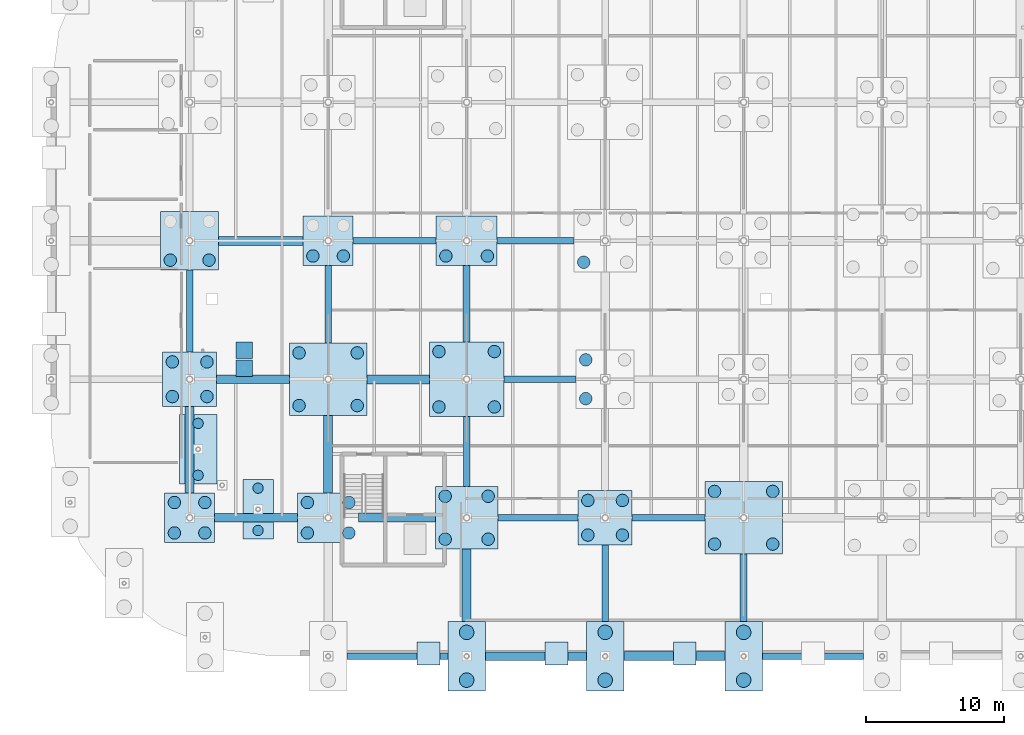
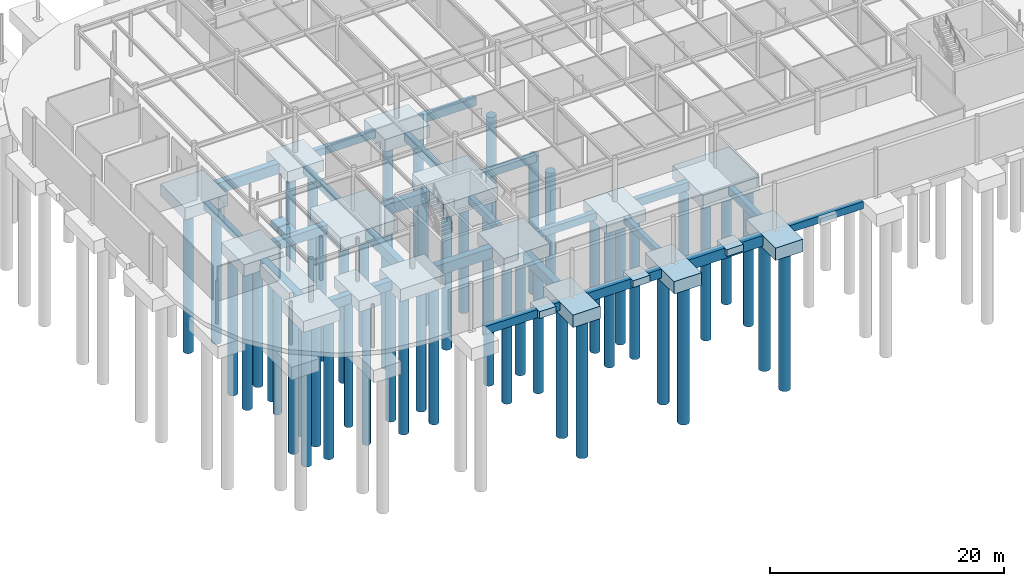
# One storey, part 2 of 75: 51 piles, 44 footings.
"""IFC4 building model written with IfcOpenShell, lengths in metres."""

from ifc_helpers import new_model, si_unit, derived_unit, direction, frame, origin, origin_2d_with_axis, place, context, subcontext, project, spatial, rectangle, circle, extrude, material, layer, layer_set, material_profile, profile_set, type_object, element, save


model = new_model("IFC4")

# Units and contexts
model_context = context("Model", 3, precision=1e-05, world=origin(), true_north=direction((0.0, 1.0)))
body_context = subcontext(model_context, "Body", "Model", "MODEL_VIEW")
ifc_project = project(units=[si_unit("LENGTHUNIT", "METRE"), si_unit("AREAUNIT", "SQUARE_METRE"), si_unit("VOLUMEUNIT", "CUBIC_METRE"), si_unit("PLANEANGLEUNIT", "RADIAN"), si_unit("MASSUNIT", "GRAM", prefix="KILO"), derived_unit("THERMALTRANSMITTANCEUNIT", [(si_unit("POWERUNIT", "WATT"), 1), (si_unit("LENGTHUNIT", "METRE"), -2), (si_unit("THERMODYNAMICTEMPERATUREUNIT", "KELVIN"), -1)])], contexts=[model_context])

# Site, building, storey
site_placement = place(None, origin())
site = spatial("IfcSite", under=ifc_project, at=site_placement, CompositionType="ELEMENT")
building_placement = place(site_placement, origin())
building = spatial("IfcBuilding", under=site, at=building_placement, Name="Cinnabar Yard Market Hall", CompositionType="ELEMENT")
storey_placement = place(building_placement, frame((0.0, 0.0, -4.5)))
storey = spatial("IfcBuildingStorey", under=building, at=storey_placement, Name="B1", CompositionType="ELEMENT", Elevation=-4.5)

# Footings
ifc_material = material(Name="Concrete 40 MPa", Category="concrete")
ifc_material_profile_1 = material_profile(ifc_material, rectangle(XDim=0.449951171875, YDim=0.75, at=origin_2d_with_axis()), Name="GB-450x750")
ifc_profile_set_1 = profile_set([ifc_material_profile_1], Name="Concrete 40 MPa")
footing_type_1 = type_object("IfcFootingType", Name="FT-GB01", PredefinedType="FOOTING_BEAM", material=ifc_profile_set_1)
footing_1_placement = place(storey_placement, frame((117.35009765625, 14.0, -0.824951171875), z_axis=(1.0, 0.0, 0.0), x_axis=(0.0, 1.0, 0.0)))
element("IfcFooting", 1, at=footing_1_placement, inside=storey, type_object=footing_type_1, Name="Ground Beam X 0004", PredefinedType="FOOTING_BEAM", context=body_context, shape_type="SweptSolid", body=[
    extrude(rectangle(XDim=0.449951171875, YDim=0.75, at=origin_2d_with_axis()), origin(), (0.0, 0.0, 1.0), 7.2998046875),
])
footing_2_placement = place(storey_placement, frame((98.25, 24.0, -0.824951171875), z_axis=(1.0, 0.0, 0.0), x_axis=(0.0, 1.0, 0.0)))
element("IfcFooting", 2, at=footing_2_placement, inside=storey, type_object=footing_type_1, Name="Ground Beam X 0012", PredefinedType="FOOTING_BEAM", context=body_context, shape_type="SweptSolid", body=[
    extrude(rectangle(XDim=0.449951171875, YDim=0.75, at=origin_2d_with_axis()), origin(), (0.0, 0.0, 1.0), 5.800048828125),
])
footing_3_placement = place(storey_placement, frame((98.699951171875, 34.0, -0.824951171875), z_axis=(1.0, 0.0, 0.0), x_axis=(0.0, 1.0, 0.0)))
element("IfcFooting", 3, at=footing_3_placement, inside=storey, type_object=footing_type_1, Name="Ground Beam X 0024", PredefinedType="FOOTING_BEAM", context=body_context, shape_type="SweptSolid", body=[
    extrude(rectangle(XDim=0.449951171875, YDim=0.75, at=origin_2d_with_axis()), origin(), (0.0, 0.0, 1.0), 5.199951171875),
])
footing_4_placement = place(storey_placement, frame((87.800048828125, 44.0, -0.824951171875), z_axis=(1.0, 0.0, 0.0), x_axis=(0.0, 1.0, 0.0)))
element("IfcFooting", 4, at=footing_4_placement, inside=storey, type_object=footing_type_1, Name="Ground Beam X 0040", PredefinedType="FOOTING_BEAM", context=body_context, shape_type="SweptSolid", body=[
    extrude(rectangle(XDim=0.449951171875, YDim=0.75, at=origin_2d_with_axis()), origin(), (0.0, 0.0, 1.0), 6.0),
])
footing_5_placement = place(storey_placement, frame((76.0, 35.949951171875, -0.824951171875), z_axis=(0.0, 1.0, 0.0), x_axis=(-1.0, 0.0, 0.0)))
element("IfcFooting", 5, at=footing_5_placement, inside=storey, type_object=footing_type_1, Name="Ground Beam Y 0184", PredefinedType="FOOTING_BEAM", context=body_context, shape_type="SweptSolid", body=[
    extrude(rectangle(XDim=0.449951171875, YDim=0.75, at=origin_2d_with_axis()), origin(), (0.0, 0.0, 1.0), 5.949951171875),
])
footing_6_placement = place(storey_placement, frame((86.0, 36.60009765625, -0.824951171875), z_axis=(0.0, 1.0, 0.0), x_axis=(-1.0, 0.0, 0.0)))
element("IfcFooting", 6, at=footing_6_placement, inside=storey, type_object=footing_type_1, Name="Ground Beam Y 0192", PredefinedType="FOOTING_BEAM", context=body_context, shape_type="SweptSolid", body=[
    extrude(rectangle(XDim=0.449951171875, YDim=0.75, at=origin_2d_with_axis()), origin(), (0.0, 0.0, 1.0), 5.599853515625),
])
footing_7_placement = place(storey_placement, frame((96.0, 26.25, -0.824951171875), z_axis=(0.0, 1.0, 0.0), x_axis=(-1.0, 0.0, 0.0)))
element("IfcFooting", 7, at=footing_7_placement, inside=storey, type_object=footing_type_1, Name="Ground Beam Y 0200", PredefinedType="FOOTING_BEAM", context=body_context, shape_type="SweptSolid", body=[
    extrude(rectangle(XDim=0.449951171875, YDim=0.75, at=origin_2d_with_axis()), origin(), (0.0, 0.0, 1.0), 5.050048828125),
])
footing_8_placement = place(storey_placement, frame((106.0, 16.5, -0.824951171875), z_axis=(0.0, 1.0, 0.0), x_axis=(-1.0, 0.0, 0.0)))
element("IfcFooting", 8, at=footing_8_placement, inside=storey, type_object=footing_type_1, Name="Ground Beam Y 0208", PredefinedType="FOOTING_BEAM", context=body_context, shape_type="SweptSolid", body=[
    extrude(rectangle(XDim=0.449951171875, YDim=0.75, at=origin_2d_with_axis()), origin(), (0.0, 0.0, 1.0), 5.550048828125),
])
ifc_material_profile_2 = material_profile(ifc_material, rectangle(XDim=0.5, YDim=0.85009765625, at=origin_2d_with_axis()), Name="GB-500x850")
ifc_profile_set_2 = profile_set([ifc_material_profile_2], Name="Concrete 40 MPa")
footing_type_2 = type_object("IfcFootingType", Name="FT-GB02", PredefinedType="FOOTING_BEAM", material=ifc_profile_set_2)
footing_9_placement = place(storey_placement, frame((87.35009765625, 14.0, -0.875), z_axis=(1.0, 0.0, 0.0), x_axis=(0.0, 1.0, 0.0)))
element("IfcFooting", 9, at=footing_9_placement, inside=storey, type_object=footing_type_2, Name="Ground Beam X 0001", PredefinedType="FOOTING_BEAM", context=body_context, shape_type="SweptSolid", body=[
    extrude(rectangle(XDim=0.5, YDim=0.85009765625, at=origin_2d_with_axis()), origin(), (0.0, 0.0, 1.0), 7.2998046875),
])
footing_10_placement = place(storey_placement, frame((107.949951171875, 24.0, -0.875), z_axis=(1.0, 0.0, 0.0), x_axis=(0.0, 1.0, 0.0)))
element("IfcFooting", 10, at=footing_10_placement, inside=storey, type_object=footing_type_2, Name="Ground Beam X 0013", PredefinedType="FOOTING_BEAM", context=body_context, shape_type="SweptSolid", body=[
    extrude(rectangle(XDim=0.5, YDim=0.85009765625, at=origin_2d_with_axis()), origin(), (0.0, 0.0, 1.0), 5.25),
])
footing_11_placement = place(storey_placement, frame((98.199951171875, 44.0, -0.875), z_axis=(1.0, 0.0, 0.0), x_axis=(0.0, 1.0, 0.0)))
element("IfcFooting", 11, at=footing_11_placement, inside=storey, type_object=footing_type_2, Name="Ground Beam X 0041", PredefinedType="FOOTING_BEAM", context=body_context, shape_type="SweptSolid", body=[
    extrude(rectangle(XDim=0.5, YDim=0.85009765625, at=origin_2d_with_axis()), origin(), (0.0, 0.0, 1.0), 5.550048828125),
])
footing_12_placement = place(storey_placement, frame((96.0, 36.699951171875, -0.875), z_axis=(0.0, 1.0, 0.0), x_axis=(-1.0, 0.0, 0.0)))
element("IfcFooting", 12, at=footing_12_placement, inside=storey, type_object=footing_type_2, Name="Ground Beam Y 0201", PredefinedType="FOOTING_BEAM", context=body_context, shape_type="SweptSolid", body=[
    extrude(rectangle(XDim=0.5, YDim=0.85009765625, at=origin_2d_with_axis()), origin(), (0.0, 0.0, 1.0), 5.5),
])
footing_13_placement = place(storey_placement, frame((116.0, 16.5, -0.875), z_axis=(0.0, 1.0, 0.0), x_axis=(-1.0, 0.0, 0.0)))
element("IfcFooting", 13, at=footing_13_placement, inside=storey, type_object=footing_type_2, Name="Ground Beam Y 0217", PredefinedType="FOOTING_BEAM", context=body_context, shape_type="SweptSolid", body=[
    extrude(rectangle(XDim=0.5, YDim=0.85009765625, at=origin_2d_with_axis()), origin(), (0.0, 0.0, 1.0), 4.89990234375),
])
ifc_material_profile_3 = material_profile(ifc_material, rectangle(XDim=0.60009765625, YDim=0.949951171875, at=origin_2d_with_axis()), Name="GB-600x950")
ifc_profile_set_3 = profile_set([ifc_material_profile_3], Name="Concrete 40 MPa")
footing_type_3 = type_object("IfcFootingType", Name="FT-GB03", PredefinedType="FOOTING_BEAM", material=ifc_profile_set_3)
footing_14_placement = place(storey_placement, frame((97.35009765625, 14.0, -0.925048828125), z_axis=(1.0, 0.0, 0.0), x_axis=(0.0, 1.0, 0.0)))
element("IfcFooting", 14, at=footing_14_placement, inside=storey, type_object=footing_type_3, Name="Ground Beam X 0002", PredefinedType="FOOTING_BEAM", context=body_context, shape_type="SweptSolid", body=[
    extrude(rectangle(XDim=0.60009765625, YDim=0.949951171875, at=origin_2d_with_axis()), origin(), (0.0, 0.0, 1.0), 7.2998046875),
])
footing_15_placement = place(storey_placement, frame((77.800048828125, 24.0, -0.925048828125), z_axis=(1.0, 0.0, 0.0), x_axis=(0.0, 1.0, 0.0)))
element("IfcFooting", 15, at=footing_15_placement, inside=storey, type_object=footing_type_3, Name="Ground Beam X 0010", PredefinedType="FOOTING_BEAM", context=body_context, shape_type="SweptSolid", body=[
    extrude(rectangle(XDim=0.60009765625, YDim=0.949951171875, at=origin_2d_with_axis()), origin(), (0.0, 0.0, 1.0), 6.0),
])
footing_16_placement = place(storey_placement, frame((77.949951171875, 34.0, -0.925048828125), z_axis=(1.0, 0.0, 0.0), x_axis=(0.0, 1.0, 0.0)))
element("IfcFooting", 16, at=footing_16_placement, inside=storey, type_object=footing_type_3, Name="Ground Beam X 0022", PredefinedType="FOOTING_BEAM", context=body_context, shape_type="SweptSolid", body=[
    extrude(rectangle(XDim=0.60009765625, YDim=0.949951171875, at=origin_2d_with_axis()), origin(), (0.0, 0.0, 1.0), 5.25),
])
ifc_material_profile_4 = material_profile(ifc_material, rectangle(XDim=0.64990234375, YDim=1.10009765625, at=origin_2d_with_axis()), Name="GB-650x1100")
ifc_profile_set_4 = profile_set([ifc_material_profile_4], Name="Concrete 40 MPa")
footing_type_4 = type_object("IfcFootingType", Name="FT-GB04", PredefinedType="FOOTING_BEAM", material=ifc_profile_set_4)
footing_17_placement = place(storey_placement, frame((107.35009765625, 14.0, -1.0), z_axis=(1.0, 0.0, 0.0), x_axis=(0.0, 1.0, 0.0)))
element("IfcFooting", 17, at=footing_17_placement, inside=storey, type_object=footing_type_4, Name="Ground Beam X 0003", PredefinedType="FOOTING_BEAM", context=body_context, shape_type="SweptSolid", body=[
    extrude(rectangle(XDim=0.64990234375, YDim=1.10009765625, at=origin_2d_with_axis()), origin(), (0.0, 0.0, 1.0), 7.2998046875),
])
footing_18_placement = place(storey_placement, frame((88.199951171875, 24.0, -1.0), z_axis=(1.0, 0.0, 0.0), x_axis=(0.0, 1.0, 0.0)))
element("IfcFooting", 18, at=footing_18_placement, inside=storey, type_object=footing_type_4, Name="Ground Beam X 0011", PredefinedType="FOOTING_BEAM", context=body_context, shape_type="SweptSolid", body=[
    extrude(rectangle(XDim=0.64990234375, YDim=1.10009765625, at=origin_2d_with_axis()), origin(), (0.0, 0.0, 1.0), 5.550048828125),
])
footing_19_placement = place(storey_placement, frame((88.800048828125, 34.0, -1.0), z_axis=(1.0, 0.0, 0.0), x_axis=(0.0, 1.0, 0.0)))
element("IfcFooting", 19, at=footing_19_placement, inside=storey, type_object=footing_type_4, Name="Ground Beam X 0023", PredefinedType="FOOTING_BEAM", context=body_context, shape_type="SweptSolid", body=[
    extrude(rectangle(XDim=0.64990234375, YDim=1.10009765625, at=origin_2d_with_axis()), origin(), (0.0, 0.0, 1.0), 4.5),
])
footing_20_placement = place(storey_placement, frame((78.10009765625, 44.0, -1.0), z_axis=(1.0, 0.0, 0.0), x_axis=(0.0, 1.0, 0.0)))
element("IfcFooting", 20, at=footing_20_placement, inside=storey, type_object=footing_type_4, Name="Ground Beam X 0039", PredefinedType="FOOTING_BEAM", context=body_context, shape_type="SweptSolid", body=[
    extrude(rectangle(XDim=0.64990234375, YDim=1.10009765625, at=origin_2d_with_axis()), origin(), (0.0, 0.0, 1.0), 6.099853515625),
])
footing_21_placement = place(storey_placement, frame((76.0, 25.800048828125, -1.0), z_axis=(0.0, 1.0, 0.0), x_axis=(-1.0, 0.0, 0.0)))
element("IfcFooting", 21, at=footing_21_placement, inside=storey, type_object=footing_type_4, Name="Ground Beam Y 0183", PredefinedType="FOOTING_BEAM", context=body_context, shape_type="SweptSolid", body=[
    extrude(rectangle(XDim=0.64990234375, YDim=1.10009765625, at=origin_2d_with_axis()), origin(), (0.0, 0.0, 1.0), 6.25),
])
footing_22_placement = place(storey_placement, frame((86.0, 25.800048828125, -1.0), z_axis=(0.0, 1.0, 0.0), x_axis=(-1.0, 0.0, 0.0)))
element("IfcFooting", 22, at=footing_22_placement, inside=storey, type_object=footing_type_4, Name="Ground Beam Y 0191", PredefinedType="FOOTING_BEAM", context=body_context, shape_type="SweptSolid", body=[
    extrude(rectangle(XDim=0.64990234375, YDim=1.10009765625, at=origin_2d_with_axis()), origin(), (0.0, 0.0, 1.0), 5.599853515625),
])
footing_23_placement = place(storey_placement, frame((96.0, 16.5, -1.0), z_axis=(0.0, 1.0, 0.0), x_axis=(-1.0, 0.0, 0.0)))
element("IfcFooting", 23, at=footing_23_placement, inside=storey, type_object=footing_type_4, Name="Ground Beam Y 0199", PredefinedType="FOOTING_BEAM", context=body_context, shape_type="SweptSolid", body=[
    extrude(rectangle(XDim=0.64990234375, YDim=1.10009765625, at=origin_2d_with_axis()), origin(), (0.0, 0.0, 1.0), 5.25),
])
ifc_layer_1 = layer(ifc_material, 1.14990234375)
ifc_layer_set_1 = layer_set([ifc_layer_1], Name="Concrete 40 MPa")
footing_type_5 = type_object("IfcFootingType", Name="FT-PC03", PredefinedType="PILE_CAP", material=ifc_layer_set_1)
for number, where, z_axis, x_axis, name in (
    (24, (76.0, 24.0, -1.599853515625), (0.0, 0.0, 1.0), (1.0, 0.0, 0.0), "Pile Cap V1I-01-01"),
    (25, (86.0, 44.0, -1.599853515625), (0.0, 0.0, 1.0), (1.0, 0.0, 0.0), "Pile Cap V1I-02-03"),
):
    element("IfcFooting", number, at=place(storey_placement, frame(where, z_axis=z_axis, x_axis=x_axis)), inside=storey, type_object=footing_type_5, Name=name, PredefinedType="PILE_CAP", context=body_context, shape_type="SweptSolid", body=[
        extrude(rectangle(XDim=3.60009765625, YDim=3.60009765625, at=origin_2d_with_axis()), origin(), (0.0, 0.0, 1.0), 1.14990234375),
    ])
ifc_layer_2 = layer(ifc_material, 1.199951171875)
ifc_layer_set_2 = layer_set([ifc_layer_2], Name="Concrete 40 MPa")
footing_type_6 = type_object("IfcFootingType", Name="FT-PC04", PredefinedType="PILE_CAP", material=ifc_layer_set_2)
for number, where, z_axis, x_axis, name in (
    (26, (76.0, 34.0, -1.64990234375), (0.0, 0.0, 1.0), (1.0, 0.0, 0.0), "Pile Cap V1I-01-02"),
    (27, (106.0, 24.0, -1.64990234375), (0.0, 0.0, 1.0), (1.0, 0.0, 0.0), "Pile Cap V1I-04-01"),
):
    element("IfcFooting", number, at=place(storey_placement, frame(where, z_axis=z_axis, x_axis=x_axis)), inside=storey, type_object=footing_type_6, Name=name, PredefinedType="PILE_CAP", context=body_context, shape_type="SweptSolid", body=[
        extrude(rectangle(XDim=3.89990234375, YDim=3.89990234375, at=origin_2d_with_axis()), origin(), (0.0, 0.0, 1.0), 1.199951171875),
    ])
ifc_layer_3 = layer(ifc_material, 1.25)
ifc_layer_set_3 = layer_set([ifc_layer_3], Name="Concrete 40 MPa")
footing_type_7 = type_object("IfcFootingType", Name="FT-PC05", PredefinedType="PILE_CAP", material=ifc_layer_set_3)
footing_24_placement = place(storey_placement, frame((76.0, 44.0, -1.699951171875), z_axis=(0.0, 0.0, 1.0), x_axis=(1.0, 0.0, 0.0)))
element("IfcFooting", 28, at=footing_24_placement, inside=storey, type_object=footing_type_7, Name="Pile Cap V1I-01-03", PredefinedType="PILE_CAP", context=body_context, shape_type="SweptSolid", body=[
    extrude(rectangle(XDim=4.199951171875, YDim=4.199951171875, at=origin_2d_with_axis()), origin(), (0.0, 0.0, 1.0), 1.25),
])
ifc_layer_4 = layer(ifc_material, 1.35009765625)
ifc_layer_set_4 = layer_set([ifc_layer_4], Name="Concrete 40 MPa")
footing_type_8 = type_object("IfcFootingType", Name="FT-PC06", PredefinedType="PILE_CAP", material=ifc_layer_set_4)
footing_25_placement = place(storey_placement, frame((96.0, 24.0, -1.800048828125), z_axis=(0.0, 0.0, 1.0), x_axis=(1.0, 0.0, 0.0)))
element("IfcFooting", 29, at=footing_25_placement, inside=storey, type_object=footing_type_8, Name="Pile Cap V1I-03-01", PredefinedType="PILE_CAP", context=body_context, shape_type="SweptSolid", body=[
    extrude(rectangle(XDim=4.5, YDim=4.5, at=origin_2d_with_axis()), origin(), (0.0, 0.0, 1.0), 1.35009765625),
])
ifc_layer_5 = layer(ifc_material, 1.14990234375)
ifc_layer_set_5 = layer_set([ifc_layer_5], Name="Concrete 40 MPa")
footing_type_9 = type_object("IfcFootingType", Name="FT-PC07", PredefinedType="PILE_CAP", material=ifc_layer_set_5)
footing_26_placement = place(storey_placement, frame((80.9384765625, 24.60888671875, -1.599853515625), z_axis=(0.0, 0.0, 1.0), x_axis=(1.0, 0.0, 0.0)))
element("IfcFooting", 30, at=footing_26_placement, inside=storey, type_object=footing_type_9, Name="Pile Cap V1IC-SW6", PredefinedType="PILE_CAP", context=body_context, shape_type="SweptSolid", body=[
    extrude(rectangle(XDim=2.199951171875, YDim=4.300048828125, at=origin_2d_with_axis()), origin(), (0.0, 0.0, 1.0), 1.14990234375),
])
ifc_layer_6 = layer(ifc_material, 1.300048828125)
ifc_layer_set_6 = layer_set([ifc_layer_6], Name="Concrete 40 MPa")
footing_type_10 = type_object("IfcFootingType", Name="FT-PC10", PredefinedType="PILE_CAP", material=ifc_layer_set_6)
for number, where, z_axis, x_axis, name in (
    (31, (96.0, 14.0, -1.75), (0.0, 0.0, 1.0), (1.0, 0.0, 0.0), "Pile Cap V1S-02"),
    (32, (106.0, 14.0, -1.75), (0.0, 0.0, 1.0), (1.0, 0.0, 0.0), "Pile Cap V1S-03"),
    (33, (116.0, 14.0, -1.75), (0.0, 0.0, 1.0), (1.0, 0.0, 0.0), "Pile Cap V1S-04"),
    (34, (76.60888671875, 28.9384765625, -1.75), (0.0, 0.0, 1.0), (1.0, 0.0, 0.0), "Pile Cap V1IC-SW2"),
):
    element("IfcFooting", number, at=place(storey_placement, frame(where, z_axis=z_axis, x_axis=x_axis)), inside=storey, type_object=footing_type_10, Name=name, PredefinedType="PILE_CAP", context=body_context, shape_type="SweptSolid", body=[
        extrude(rectangle(XDim=2.699951171875, YDim=5.0, at=origin_2d_with_axis()), origin(), (0.0, 0.0, 1.0), 1.300048828125),
    ])
ifc_layer_7 = layer(ifc_material, 1.449951171875)
ifc_layer_set_7 = layer_set([ifc_layer_7], Name="Concrete 40 MPa")
footing_type_11 = type_object("IfcFootingType", Name="FT-PC12", PredefinedType="PILE_CAP", material=ifc_layer_set_7)
footing_27_placement = place(storey_placement, frame((96.0, 34.0, -1.89990234375), z_axis=(0.0, 0.0, 1.0), x_axis=(1.0, 0.0, 0.0)))
element("IfcFooting", 35, at=footing_27_placement, inside=storey, type_object=footing_type_11, Name="Pile Cap V1I-03-02", PredefinedType="PILE_CAP", context=body_context, shape_type="SweptSolid", body=[
    extrude(rectangle(XDim=5.39990234375, YDim=5.39990234375, at=origin_2d_with_axis()), origin(), (0.0, 0.0, 1.0), 1.449951171875),
])
ifc_layer_8 = layer(ifc_material, 1.300048828125)
ifc_layer_set_8 = layer_set([ifc_layer_8], Name="Concrete 40 MPa")
footing_type_12 = type_object("IfcFootingType", Name="FT-PC15", PredefinedType="PILE_CAP", material=ifc_layer_set_8)
for number, where, z_axis, x_axis, name in (
    (36, (86.0, 24.0, -1.75), (0.0, 0.0, 1.0), (1.0, 0.0, 0.0), "Pile Cap V1I-02-01"),
    (37, (96.0, 44.0, -1.75), (0.0, 0.0, 1.0), (1.0, 0.0, 0.0), "Pile Cap V1I-03-03"),
):
    element("IfcFooting", number, at=place(storey_placement, frame(where, z_axis=z_axis, x_axis=x_axis)), inside=storey, type_object=footing_type_12, Name=name, PredefinedType="PILE_CAP", context=body_context, shape_type="SweptSolid", body=[
        extrude(rectangle(XDim=4.39990234375, YDim=3.60009765625, at=origin_2d_with_axis()), origin(), (0.0, 0.0, 1.0), 1.300048828125),
    ])
ifc_layer_9 = layer(ifc_material, 1.39990234375)
ifc_layer_set_9 = layer_set([ifc_layer_9], Name="Concrete 40 MPa")
footing_type_13 = type_object("IfcFootingType", Name="FT-PC16", PredefinedType="PILE_CAP", material=ifc_layer_set_9)
for number, where, z_axis, x_axis, name in (
    (38, (86.0, 34.0, -1.849853515625), (0.0, 0.0, 1.0), (1.0, 0.0, 0.0), "Pile Cap V1I-02-02"),
    (39, (116.0, 24.0, -1.849853515625), (0.0, 0.0, 1.0), (1.0, 0.0, 0.0), "Pile Cap V1I-05-01"),
):
    element("IfcFooting", number, at=place(storey_placement, frame(where, z_axis=z_axis, x_axis=x_axis)), inside=storey, type_object=footing_type_13, Name=name, PredefinedType="PILE_CAP", context=body_context, shape_type="SweptSolid", body=[
        extrude(rectangle(XDim=5.60009765625, YDim=5.199951171875, at=origin_2d_with_axis()), origin(), (0.0, 0.0, 1.0), 1.39990234375),
    ])
ifc_layer_10 = layer(ifc_material, 0.719970703125)
ifc_layer_set_10 = layer_set([ifc_layer_10], Name="Concrete 40 MPa")
footing_type_14 = type_object("IfcFootingType", Name="FT-PF02", PredefinedType="PAD_FOOTING", material=ifc_layer_set_10)
for number, where, z_axis, x_axis, name in (
    (40, (93.25, 14.199951171875, -1.169921875), (0.0, 0.0, 1.0), (1.0, 0.0, 0.0), "Wall Pad B1-RET-V1S-1"),
    (41, (102.5, 14.199951171875, -1.169921875), (0.0, 0.0, 1.0), (1.0, 0.0, 0.0), "Wall Pad B1-RET-V1S-2"),
    (42, (111.75, 14.199951171875, -1.169921875), (0.0, 0.0, 1.0), (1.0, 0.0, 0.0), "Wall Pad B1-RET-V1S-3"),
):
    element("IfcFooting", number, at=place(storey_placement, frame(where, z_axis=z_axis, x_axis=x_axis)), inside=storey, type_object=footing_type_14, Name=name, PredefinedType="PAD_FOOTING", context=body_context, shape_type="SweptSolid", body=[
        extrude(rectangle(XDim=1.64990234375, YDim=1.64990234375, at=origin_2d_with_axis()), origin(), (0.0, 0.0, 1.0), 0.719970703125),
    ])
ifc_layer_11 = layer(ifc_material, 0.60009765625)
ifc_layer_set_11 = layer_set([ifc_layer_11], Name="Concrete 40 MPa")
footing_type_15 = type_object("IfcFootingType", Name="FT-PF08", PredefinedType="PAD_FOOTING", material=ifc_layer_set_11)
for number, where, z_axis, x_axis, name in (
    (43, (79.949951171875, 34.800048828125, -1.050048828125), (0.0, 0.0, 1.0), (1.0, 0.0, 0.0), "Feature Stair Pad ST-F1-2"),
    (44, (79.949951171875, 36.10009765625, -1.050048828125), (0.0, 0.0, 1.0), (1.0, 0.0, 0.0), "Feature Stair Pad ST-F1-4"),
):
    element("IfcFooting", number, at=place(storey_placement, frame(where, z_axis=z_axis, x_axis=x_axis)), inside=storey, type_object=footing_type_15, Name=name, PredefinedType="PAD_FOOTING", context=body_context, shape_type="SweptSolid", body=[
        extrude(rectangle(XDim=1.199951171875, YDim=1.199951171875, at=origin_2d_with_axis()), origin(), (0.0, 0.0, 1.0), 0.60009765625),
    ])

# Piles
ifc_material_profile_5 = material_profile(ifc_material, circle(Radius=0.52490234375, at=origin_2d_with_axis()), Name="PILE-D1050")
ifc_profile_set_5 = profile_set([ifc_material_profile_5], Name="Concrete 40 MPa")
pile_type_1 = type_object("IfcPileType", Name="PILE-PL1050", PredefinedType="BORED", material=ifc_profile_set_5)
for number, where, z_axis, x_axis, name in (
    (45, (96.0, 12.27490234375, -1.64990234375), (0.0, 0.0, -1.0), (1.0, 0.0, 0.0), "Bored Pile 0185"),
    (46, (96.0, 15.72509765625, -1.64990234375), (0.0, 0.0, -1.0), (1.0, 0.0, 0.0), "Bored Pile 0186"),
    (47, (106.0, 12.27490234375, -1.64990234375), (0.0, 0.0, -1.0), (1.0, 0.0, 0.0), "Bored Pile 0189"),
    (48, (106.0, 15.72509765625, -1.64990234375), (0.0, 0.0, -1.0), (1.0, 0.0, 0.0), "Bored Pile 0190"),
    (49, (116.0, 12.27490234375, -1.64990234375), (0.0, 0.0, -1.0), (1.0, 0.0, 0.0), "Bored Pile 0193"),
    (50, (116.0, 15.72509765625, -1.64990234375), (0.0, 0.0, -1.0), (1.0, 0.0, 0.0), "Bored Pile 0194"),
):
    element("IfcPile", number, at=place(storey_placement, frame(where, z_axis=z_axis, x_axis=x_axis)), inside=storey, type_object=pile_type_1, Name=name, PredefinedType="BORED", context=body_context, shape_type="SweptSolid", body=[
        extrude(circle(Radius=0.52490234375, at=origin_2d_with_axis()), origin(), (0.0, 0.0, 1.0), 14.35009765625),
    ])
ifc_material_profile_6 = material_profile(ifc_material, circle(Radius=0.375, at=origin_2d_with_axis()), Name="PILE-D750")
ifc_profile_set_6 = profile_set([ifc_material_profile_6], Name="Concrete 40 MPa")
pile_type_2 = type_object("IfcPileType", Name="PILE-PL750", PredefinedType="BORED", material=ifc_profile_set_6)
for number, where, z_axis, x_axis, name in (
    (51, (76.60888671875, 27.0634765625, -1.64990234375), (0.0, 0.0, -1.0), (1.0, 0.0, 0.0), "Bored Pile 0223"),
    (52, (76.60888671875, 30.8134765625, -1.64990234375), (0.0, 0.0, -1.0), (1.0, 0.0, 0.0), "Bored Pile 0224"),
):
    element("IfcPile", number, at=place(storey_placement, frame(where, z_axis=z_axis, x_axis=x_axis)), inside=storey, type_object=pile_type_2, Name=name, PredefinedType="BORED", context=body_context, shape_type="SweptSolid", body=[
        extrude(circle(Radius=0.375, at=origin_2d_with_axis()), origin(), (0.0, 0.0, 1.0), 14.35009765625),
    ])
for number, where, z_axis, x_axis, name in (
    (53, (80.9384765625, 23.083984375, -1.5), (0.0, 0.0, -1.0), (1.0, 0.0, 0.0), "Bored Pile 0229"),
    (54, (80.9384765625, 26.134033203125, -1.5), (0.0, 0.0, -1.0), (1.0, 0.0, 0.0), "Bored Pile 0230"),
):
    element("IfcPile", number, at=place(storey_placement, frame(where, z_axis=z_axis, x_axis=x_axis)), inside=storey, type_object=pile_type_2, Name=name, PredefinedType="BORED", context=body_context, shape_type="SweptSolid", body=[
        extrude(circle(Radius=0.375, at=origin_2d_with_axis()), origin(), (0.0, 0.0, 1.0), 14.5),
    ])
ifc_material_profile_7 = material_profile(ifc_material, circle(Radius=0.449951171875, at=origin_2d_with_axis()), Name="PILE-D900")
ifc_profile_set_7 = profile_set([ifc_material_profile_7], Name="Concrete 40 MPa")
pile_type_3 = type_object("IfcPileType", Name="PILE-PL900", PredefinedType="BORED", material=ifc_profile_set_7)
for number, where, z_axis, x_axis, name in (
    (55, (74.89990234375, 22.89990234375, -1.5), (0.0, 0.0, -1.0), (1.0, 0.0, 0.0), "Bored Pile 0001"),
    (56, (77.10009765625, 22.89990234375, -1.5), (0.0, 0.0, -1.0), (1.0, 0.0, 0.0), "Bored Pile 0002"),
    (57, (74.89990234375, 25.10009765625, -1.5), (0.0, 0.0, -1.0), (1.0, 0.0, 0.0), "Bored Pile 0003"),
    (58, (77.10009765625, 25.10009765625, -1.5), (0.0, 0.0, -1.0), (1.0, 0.0, 0.0), "Bored Pile 0004"),
):
    element("IfcPile", number, at=place(storey_placement, frame(where, z_axis=z_axis, x_axis=x_axis)), inside=storey, type_object=pile_type_3, Name=name, PredefinedType="BORED", context=body_context, shape_type="SweptSolid", body=[
        extrude(circle(Radius=0.449951171875, at=origin_2d_with_axis()), origin(), (0.0, 0.0, 1.0), 14.5),
    ])
for number, where, z_axis, x_axis, name in (
    (59, (74.75, 32.75, -1.550048828125), (0.0, 0.0, -1.0), (1.0, 0.0, 0.0), "Bored Pile 0005"),
    (60, (77.25, 32.75, -1.550048828125), (0.0, 0.0, -1.0), (1.0, 0.0, 0.0), "Bored Pile 0006"),
    (61, (74.75, 35.25, -1.550048828125), (0.0, 0.0, -1.0), (1.0, 0.0, 0.0), "Bored Pile 0007"),
    (62, (77.25, 35.25, -1.550048828125), (0.0, 0.0, -1.0), (1.0, 0.0, 0.0), "Bored Pile 0008"),
):
    element("IfcPile", number, at=place(storey_placement, frame(where, z_axis=z_axis, x_axis=x_axis)), inside=storey, type_object=pile_type_3, Name=name, PredefinedType="BORED", context=body_context, shape_type="SweptSolid", body=[
        extrude(circle(Radius=0.449951171875, at=origin_2d_with_axis()), origin(), (0.0, 0.0, 1.0), 14.449951171875),
    ])
for number, where, z_axis, x_axis, name in (
    (63, (74.60009765625, 42.60009765625, -1.60009765625), (0.0, 0.0, -1.0), (1.0, 0.0, 0.0), "Bored Pile 0009"),
    (64, (77.39990234375, 42.60009765625, -1.60009765625), (0.0, 0.0, -1.0), (1.0, 0.0, 0.0), "Bored Pile 0010"),
):
    element("IfcPile", number, at=place(storey_placement, frame(where, z_axis=z_axis, x_axis=x_axis)), inside=storey, type_object=pile_type_3, Name=name, PredefinedType="BORED", context=body_context, shape_type="SweptSolid", body=[
        extrude(circle(Radius=0.449951171875, at=origin_2d_with_axis()), origin(), (0.0, 0.0, 1.0), 14.39990234375),
    ])
for number, where, z_axis, x_axis, name in (
    (65, (84.5, 22.89990234375, -1.64990234375), (0.0, 0.0, -1.0), (1.0, 0.0, 0.0), "Bored Pile 0021"),
    (66, (87.5, 22.89990234375, -1.64990234375), (0.0, 0.0, -1.0), (1.0, 0.0, 0.0), "Bored Pile 0022"),
    (67, (84.5, 25.10009765625, -1.64990234375), (0.0, 0.0, -1.0), (1.0, 0.0, 0.0), "Bored Pile 0023"),
    (68, (87.5, 25.10009765625, -1.64990234375), (0.0, 0.0, -1.0), (1.0, 0.0, 0.0), "Bored Pile 0024"),
):
    element("IfcPile", number, at=place(storey_placement, frame(where, z_axis=z_axis, x_axis=x_axis)), inside=storey, type_object=pile_type_3, Name=name, PredefinedType="BORED", context=body_context, shape_type="SweptSolid", body=[
        extrude(circle(Radius=0.449951171875, at=origin_2d_with_axis()), origin(), (0.0, 0.0, 1.0), 14.35009765625),
    ])
for number, where, z_axis, x_axis, name in (
    (69, (83.89990234375, 32.10009765625, -1.75), (0.0, 0.0, -1.0), (1.0, 0.0, 0.0), "Bored Pile 0025"),
    (70, (88.10009765625, 32.10009765625, -1.75), (0.0, 0.0, -1.0), (1.0, 0.0, 0.0), "Bored Pile 0026"),
    (71, (83.89990234375, 35.89990234375, -1.75), (0.0, 0.0, -1.0), (1.0, 0.0, 0.0), "Bored Pile 0027"),
    (72, (88.10009765625, 35.89990234375, -1.75), (0.0, 0.0, -1.0), (1.0, 0.0, 0.0), "Bored Pile 0028"),
):
    element("IfcPile", number, at=place(storey_placement, frame(where, z_axis=z_axis, x_axis=x_axis)), inside=storey, type_object=pile_type_3, Name=name, PredefinedType="BORED", context=body_context, shape_type="SweptSolid", body=[
        extrude(circle(Radius=0.449951171875, at=origin_2d_with_axis()), origin(), (0.0, 0.0, 1.0), 14.25),
    ])
for number, where, z_axis, x_axis, name in (
    (73, (84.89990234375, 42.89990234375, -1.5), (0.0, 0.0, -1.0), (1.0, 0.0, 0.0), "Bored Pile 0029"),
    (74, (87.10009765625, 42.89990234375, -1.5), (0.0, 0.0, -1.0), (1.0, 0.0, 0.0), "Bored Pile 0030"),
):
    element("IfcPile", number, at=place(storey_placement, frame(where, z_axis=z_axis, x_axis=x_axis)), inside=storey, type_object=pile_type_3, Name=name, PredefinedType="BORED", context=body_context, shape_type="SweptSolid", body=[
        extrude(circle(Radius=0.449951171875, at=origin_2d_with_axis()), origin(), (0.0, 0.0, 1.0), 14.5),
    ])
for number, where, z_axis, x_axis, name in (
    (75, (94.449951171875, 22.449951171875, -1.699951171875), (0.0, 0.0, -1.0), (1.0, 0.0, 0.0), "Bored Pile 0041"),
    (76, (97.550048828125, 22.449951171875, -1.699951171875), (0.0, 0.0, -1.0), (1.0, 0.0, 0.0), "Bored Pile 0042"),
    (77, (94.449951171875, 25.550048828125, -1.699951171875), (0.0, 0.0, -1.0), (1.0, 0.0, 0.0), "Bored Pile 0043"),
    (78, (97.550048828125, 25.550048828125, -1.699951171875), (0.0, 0.0, -1.0), (1.0, 0.0, 0.0), "Bored Pile 0044"),
):
    element("IfcPile", number, at=place(storey_placement, frame(where, z_axis=z_axis, x_axis=x_axis)), inside=storey, type_object=pile_type_3, Name=name, PredefinedType="BORED", context=body_context, shape_type="SweptSolid", body=[
        extrude(circle(Radius=0.449951171875, at=origin_2d_with_axis()), origin(), (0.0, 0.0, 1.0), 14.300048828125),
    ])
for number, where, z_axis, x_axis, name in (
    (79, (94.0, 32.0, -1.800048828125), (0.0, 0.0, -1.0), (1.0, 0.0, 0.0), "Bored Pile 0045"),
    (80, (98.0, 32.0, -1.800048828125), (0.0, 0.0, -1.0), (1.0, 0.0, 0.0), "Bored Pile 0046"),
    (81, (94.0, 36.0, -1.800048828125), (0.0, 0.0, -1.0), (1.0, 0.0, 0.0), "Bored Pile 0047"),
    (82, (98.0, 36.0, -1.800048828125), (0.0, 0.0, -1.0), (1.0, 0.0, 0.0), "Bored Pile 0048"),
):
    element("IfcPile", number, at=place(storey_placement, frame(where, z_axis=z_axis, x_axis=x_axis)), inside=storey, type_object=pile_type_3, Name=name, PredefinedType="BORED", context=body_context, shape_type="SweptSolid", body=[
        extrude(circle(Radius=0.449951171875, at=origin_2d_with_axis()), origin(), (0.0, 0.0, 1.0), 14.199951171875),
    ])
for number, where, z_axis, x_axis, name in (
    (83, (94.5, 42.89990234375, -1.64990234375), (0.0, 0.0, -1.0), (1.0, 0.0, 0.0), "Bored Pile 0049"),
    (84, (97.5, 42.89990234375, -1.64990234375), (0.0, 0.0, -1.0), (1.0, 0.0, 0.0), "Bored Pile 0050"),
):
    element("IfcPile", number, at=place(storey_placement, frame(where, z_axis=z_axis, x_axis=x_axis)), inside=storey, type_object=pile_type_3, Name=name, PredefinedType="BORED", context=body_context, shape_type="SweptSolid", body=[
        extrude(circle(Radius=0.449951171875, at=origin_2d_with_axis()), origin(), (0.0, 0.0, 1.0), 14.35009765625),
    ])
for number, where, z_axis, x_axis, name in (
    (85, (104.75, 22.75, -1.550048828125), (0.0, 0.0, -1.0), (1.0, 0.0, 0.0), "Bored Pile 0061"),
    (86, (107.25, 22.75, -1.550048828125), (0.0, 0.0, -1.0), (1.0, 0.0, 0.0), "Bored Pile 0062"),
    (87, (104.75, 25.25, -1.550048828125), (0.0, 0.0, -1.0), (1.0, 0.0, 0.0), "Bored Pile 0063"),
    (88, (107.25, 25.25, -1.550048828125), (0.0, 0.0, -1.0), (1.0, 0.0, 0.0), "Bored Pile 0064"),
):
    element("IfcPile", number, at=place(storey_placement, frame(where, z_axis=z_axis, x_axis=x_axis)), inside=storey, type_object=pile_type_3, Name=name, PredefinedType="BORED", context=body_context, shape_type="SweptSolid", body=[
        extrude(circle(Radius=0.449951171875, at=origin_2d_with_axis()), origin(), (0.0, 0.0, 1.0), 14.449951171875),
    ])
for number, where, z_axis, x_axis, name in (
    (89, (104.60009765625, 32.60009765625, -1.60009765625), (0.0, 0.0, -1.0), (1.0, 0.0, 0.0), "Bored Pile 0065"),
    (90, (104.60009765625, 35.39990234375, -1.60009765625), (0.0, 0.0, -1.0), (1.0, 0.0, 0.0), "Bored Pile 0067"),
):
    element("IfcPile", number, at=place(storey_placement, frame(where, z_axis=z_axis, x_axis=x_axis)), inside=storey, type_object=pile_type_3, Name=name, PredefinedType="BORED", context=body_context, shape_type="SweptSolid", body=[
        extrude(circle(Radius=0.449951171875, at=origin_2d_with_axis()), origin(), (0.0, 0.0, 1.0), 14.39990234375),
    ])
pile_placement = place(storey_placement, frame((104.449951171875, 42.449951171875, -1.699951171875), z_axis=(0.0, 0.0, -1.0), x_axis=(1.0, 0.0, 0.0)))
element("IfcPile", 91, at=pile_placement, inside=storey, type_object=pile_type_3, Name="Bored Pile 0069", PredefinedType="BORED", context=body_context, shape_type="SweptSolid", body=[
    extrude(circle(Radius=0.449951171875, at=origin_2d_with_axis()), origin(), (0.0, 0.0, 1.0), 14.300048828125),
])
for number, where, z_axis, x_axis, name in (
    (92, (113.89990234375, 22.10009765625, -1.75), (0.0, 0.0, -1.0), (1.0, 0.0, 0.0), "Bored Pile 0081"),
    (93, (118.10009765625, 22.10009765625, -1.75), (0.0, 0.0, -1.0), (1.0, 0.0, 0.0), "Bored Pile 0082"),
    (94, (113.89990234375, 25.89990234375, -1.75), (0.0, 0.0, -1.0), (1.0, 0.0, 0.0), "Bored Pile 0083"),
    (95, (118.10009765625, 25.89990234375, -1.75), (0.0, 0.0, -1.0), (1.0, 0.0, 0.0), "Bored Pile 0084"),
):
    element("IfcPile", number, at=place(storey_placement, frame(where, z_axis=z_axis, x_axis=x_axis)), inside=storey, type_object=pile_type_3, Name=name, PredefinedType="BORED", context=body_context, shape_type="SweptSolid", body=[
        extrude(circle(Radius=0.449951171875, at=origin_2d_with_axis()), origin(), (0.0, 0.0, 1.0), 14.25),
    ])

save(model, "model.ifc")
